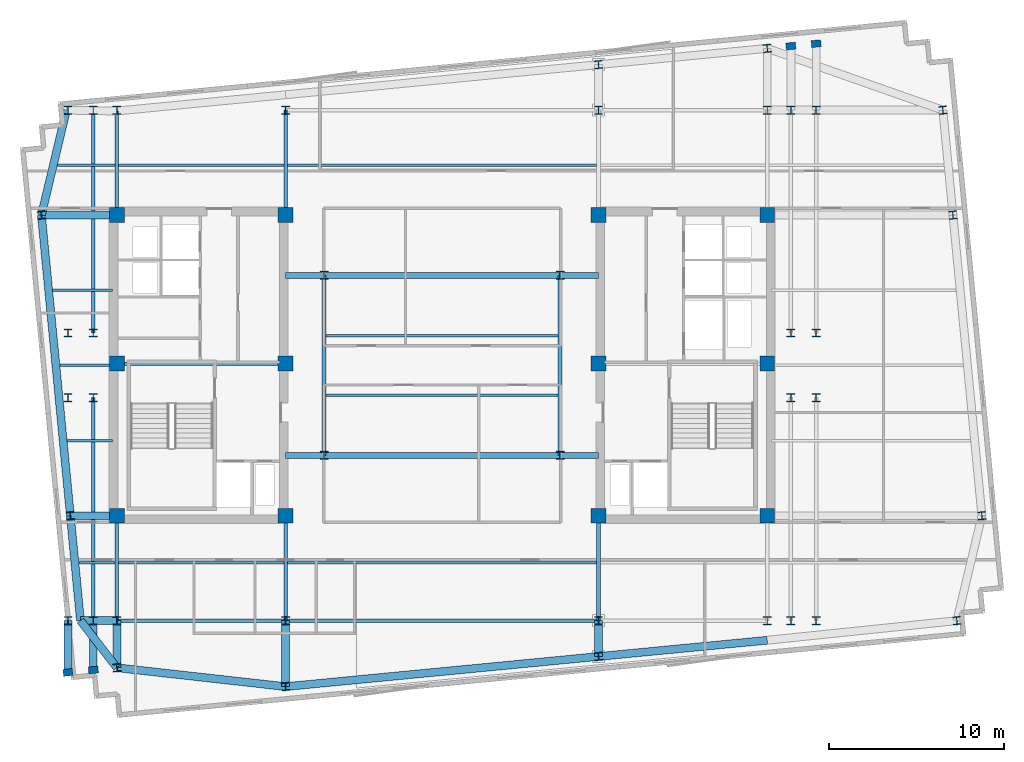
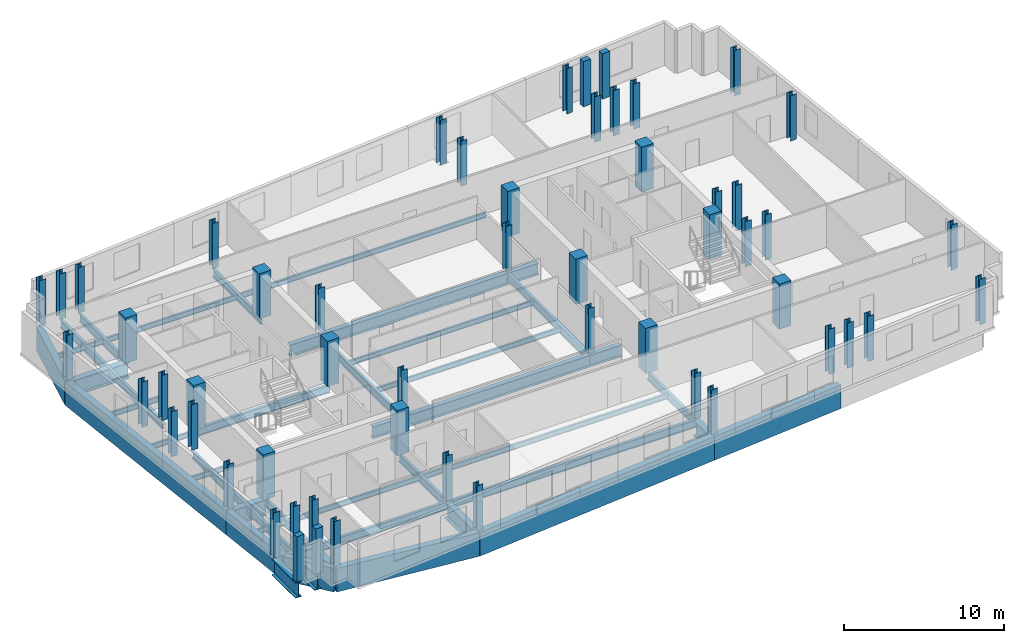
# One storey, part 1 of 8: 55 columns, 44 beams.
"""IFC4 building model written with IfcOpenShell, lengths in metres."""

from ifc_helpers import new_model, si_unit, direction, frame, origin, origin_2d, place, context, subcontext, project, spatial, rectangle, i_section, extrude, material, material_profile, profile_set, type_object, element, save


model = new_model("IFC4")

# Units and contexts
model_context = context("Model", 3, precision=1e-05, world=origin(), true_north=direction((0.0, 1.0)))
body_context = subcontext(model_context, "Body", "Model", "MODEL_VIEW")
ifc_project = project(units=[si_unit("LENGTHUNIT", "METRE"), si_unit("AREAUNIT", "SQUARE_METRE"), si_unit("VOLUMEUNIT", "CUBIC_METRE"), si_unit("PLANEANGLEUNIT", "RADIAN"), si_unit("MASSUNIT", "GRAM", prefix="KILO")], contexts=[model_context])

# Site, building, storey
site_placement = place(None, origin())
site = spatial("IfcSite", under=ifc_project, at=site_placement, CompositionType="ELEMENT")
building_placement = place(site_placement, origin())
building = spatial("IfcBuilding", under=site, at=building_placement, Name="Velakula Bourse", CompositionType="ELEMENT")
storey_placement = place(building_placement, frame((0.0, 0.0, 251.699951171875)))
storey = spatial("IfcBuildingStorey", under=building, at=storey_placement, Name="L68", CompositionType="ELEMENT", Elevation=251.699951171875)

# Columns
ifc_material_1 = material(Name="Concrete M50 (fck 50 MPa)", Category="concrete")
ifc_material_profile_1 = material_profile(ifc_material_1, rectangle(XDim=0.85009765625, YDim=0.85009765625, at=origin_2d()), Name="Concrete M50 (fck 50 MPa)")
ifc_profile_set_1 = profile_set([ifc_material_profile_1], Name="Concrete M50 (fck 50 MPa)")
column_type_1 = type_object("IfcColumnType", Name="COL-RC-850", PredefinedType="COLUMN", material=ifc_profile_set_1)
for number, where, z_axis, x_axis, name in (
    (1, (-8.949951171875, -8.60009765625, 0.0), (0.0, 0.0, 1.0), (1.0, 0.0, 0.0), "L68 Core Boundary Column 01"),
    (2, (-8.949951171875, 0.10009765625, 0.0), (0.0, 0.0, 1.0), (1.0, 0.0, 0.0), "L68 Core Boundary Column 02"),
    (3, (-8.949951171875, 8.60009765625, 0.0), (0.0, 0.0, 1.0), (1.0, 0.0, 0.0), "L68 Core Boundary Column 03"),
    (4, (-18.60009765625, -8.60009765625, 0.0), (0.0, 0.0, 1.0), (1.0, 0.0, 0.0), "L68 Core Boundary Column 04"),
    (5, (-18.60009765625, 0.10009765625, 0.0), (0.0, 0.0, 1.0), (1.0, 0.0, 0.0), "L68 Core Boundary Column 05"),
    (6, (-18.60009765625, 8.60009765625, 0.0), (0.0, 0.0, 1.0), (1.0, 0.0, 0.0), "L68 Core Boundary Column 06"),
    (7, (8.949951171875, -8.60009765625, 0.0), (0.0, 0.0, 1.0), (1.0, 0.0, 0.0), "L68 Core Boundary Column 07"),
    (8, (8.949951171875, 0.10009765625, 0.0), (0.0, 0.0, 1.0), (1.0, 0.0, 0.0), "L68 Core Boundary Column 08"),
    (9, (8.949951171875, 8.60009765625, 0.0), (0.0, 0.0, 1.0), (1.0, 0.0, 0.0), "L68 Core Boundary Column 09"),
    (10, (18.60009765625, -8.60009765625, 0.0), (0.0, 0.0, 1.0), (1.0, 0.0, 0.0), "L68 Core Boundary Column 10"),
    (11, (18.60009765625, 0.10009765625, 0.0), (0.0, 0.0, 1.0), (1.0, 0.0, 0.0), "L68 Core Boundary Column 11"),
    (12, (18.60009765625, 8.60009765625, 0.0), (0.0, 0.0, 1.0), (1.0, 0.0, 0.0), "L68 Core Boundary Column 12"),
):
    element("IfcColumn", number, at=place(storey_placement, frame(where, z_axis=z_axis, x_axis=x_axis)), inside=storey, type_object=column_type_1, Name=name, PredefinedType="COLUMN", context=body_context, shape_type="SweptSolid", body=[
        extrude(rectangle(XDim=0.85009765625, YDim=0.85009765625, at=origin_2d()), origin(), (0.0, 0.0, 1.0), 3.449951171875),
    ])
ifc_material_2 = material(Name="Steel IS 2062 Grade 350 (E350)", Category="steel")
ifc_material_profile_2 = material_profile(ifc_material_2, i_section(OverallWidth=0.449951171875, OverallDepth=0.449951171875, WebThickness=0.02197265625, FlangeThickness=0.031982421875, at=origin_2d()), Name="Steel IS 2062 Grade 350 (E350)")
ifc_profile_set_2 = profile_set([ifc_material_profile_2], Name="Steel IS 2062 Grade 350 (E350)")
column_type_2 = type_object("IfcColumnType", Name="COL-STL-450", PredefinedType="COLUMN", material=ifc_profile_set_2)
for number, where, z_axis, x_axis, name in (
    (13, (-6.75, -5.14990234375, 0.0), (0.0, 0.0, 1.0), (1.0, 0.0, 0.0), "L68 Central Spine Column 01"),
    (14, (-6.75, 5.14990234375, 0.0), (0.0, 0.0, 1.0), (1.0, 0.0, 0.0), "L68 Central Spine Column 02"),
    (15, (6.75, -5.14990234375, 0.0), (0.0, 0.0, 1.0), (1.0, 0.0, 0.0), "L68 Central Spine Column 03"),
    (16, (6.75, 5.14990234375, 0.0), (0.0, 0.0, 1.0), (1.0, 0.0, 0.0), "L68 Central Spine Column 04"),
    (17, (-21.39990234375, -14.60009765625, 0.0), (0.0, 0.0, 1.0), (1.0, 0.0, 0.0), "L68 Tower Fulcrum Column 01"),
    (18, (-21.39990234375, 14.60009765625, 0.0), (0.0, 0.0, 1.0), (1.0, 0.0, 0.0), "L68 Tower Fulcrum Column 02"),
    (19, (-19.949951171875, -14.60009765625, 0.0), (0.0, 0.0, 1.0), (1.0, 0.0, 0.0), "L68 Tower Fulcrum Column 03"),
    (20, (-19.949951171875, 14.60009765625, 0.0), (0.0, 0.0, 1.0), (1.0, 0.0, 0.0), "L68 Tower Fulcrum Column 04"),
    (21, (-18.60009765625, -14.60009765625, 0.0), (0.0, 0.0, 1.0), (1.0, 0.0, 0.0), "L68 Tower Fulcrum Column 05"),
    (22, (-18.60009765625, 14.60009765625, 0.0), (0.0, 0.0, 1.0), (1.0, 0.0, 0.0), "L68 Tower Fulcrum Column 06"),
    (23, (-8.949951171875, -14.60009765625, 0.0), (0.0, 0.0, 1.0), (1.0, 0.0, 0.0), "L68 Tower Fulcrum Column 07"),
    (24, (-8.949951171875, 14.60009765625, 0.0), (0.0, 0.0, 1.0), (1.0, 0.0, 0.0), "L68 Tower Fulcrum Column 08"),
    (25, (8.949951171875, -14.60009765625, 0.0), (0.0, 0.0, 1.0), (1.0, 0.0, 0.0), "L68 Tower Fulcrum Column 09"),
    (26, (8.949951171875, 14.60009765625, 0.0), (0.0, 0.0, 1.0), (1.0, 0.0, 0.0), "L68 Tower Fulcrum Column 10"),
    (27, (18.60009765625, -14.60009765625, 0.0), (0.0, 0.0, 1.0), (1.0, 0.0, 0.0), "L68 Tower Fulcrum Column 11"),
    (28, (18.60009765625, 14.60009765625, 0.0), (0.0, 0.0, 1.0), (1.0, 0.0, 0.0), "L68 Tower Fulcrum Column 12"),
    (29, (19.949951171875, -14.60009765625, 0.0), (0.0, 0.0, 1.0), (1.0, 0.0, 0.0), "L68 Tower Fulcrum Column 13"),
    (30, (19.949951171875, 14.60009765625, 0.0), (0.0, 0.0, 1.0), (1.0, 0.0, 0.0), "L68 Tower Fulcrum Column 14"),
    (31, (21.39990234375, -14.60009765625, 0.0), (0.0, 0.0, 1.0), (1.0, 0.0, 0.0), "L68 Tower Fulcrum Column 15"),
    (32, (21.39990234375, 14.60009765625, 0.0), (0.0, 0.0, 1.0), (1.0, 0.0, 0.0), "L68 Tower Fulcrum Column 16"),
    (33, (-21.39990234375, -1.85009765625, 0.0), (0.0, 0.0, 1.0), (1.0, 0.0, 0.0), "L68 Tower Fulcrum Column 17"),
    (34, (-21.39990234375, 1.85009765625, 0.0), (0.0, 0.0, 1.0), (1.0, 0.0, 0.0), "L68 Tower Fulcrum Column 18"),
    (35, (-19.949951171875, -1.85009765625, 0.0), (0.0, 0.0, 1.0), (1.0, 0.0, 0.0), "L68 Tower Fulcrum Column 19"),
    (36, (-19.949951171875, 1.85009765625, 0.0), (0.0, 0.0, 1.0), (1.0, 0.0, 0.0), "L68 Tower Fulcrum Column 20"),
    (37, (19.949951171875, -1.85009765625, 0.0), (0.0, 0.0, 1.0), (1.0, 0.0, 0.0), "L68 Tower Fulcrum Column 21"),
    (38, (19.949951171875, 1.85009765625, 0.0), (0.0, 0.0, 1.0), (1.0, 0.0, 0.0), "L68 Tower Fulcrum Column 22"),
    (39, (21.39990234375, -1.85009765625, 0.0), (0.0, 0.0, 1.0), (1.0, 0.0, 0.0), "L68 Tower Fulcrum Column 23"),
    (40, (21.39990234375, 1.85009765625, 0.0), (0.0, 0.0, 1.0), (1.0, 0.0, 0.0), "L68 Tower Fulcrum Column 24"),
    (41, (-18.60009765625, -17.294921875, 0.0), (0.0, 0.0, 1.0), (0.995396198367, 0.09584575252, 0.0), "L68 Block B6 Perimeter Column S1"),
    (42, (-8.949951171875, -18.375, 0.0), (0.0, 0.0, 1.0), (0.995396198367, 0.09584575252, 0.0), "L68 Block B6 Perimeter Column S2"),
    (43, (8.949951171875, -16.6513671875, 0.0), (0.0, 0.0, 1.0), (0.995396198367, 0.09584575252, 0.0), "L68 Block B6 Perimeter Column S3"),
    (44, (8.949951171875, 17.20458984375, 0.0), (0.0, 0.0, 1.0), (0.995396198367, 0.09584575252, 0.0), "L68 Block B6 Perimeter Column N3"),
    (45, (18.60009765625, 18.1337890625, 0.0), (0.0, 0.0, 1.0), (0.995396198367, 0.09584575252, 0.0), "L68 Block B6 Perimeter Column N4"),
    (46, (-21.26123046875, -8.60009765625, 0.0), (0.0, 0.0, 1.0), (0.995396198367, 0.09584575252, 0.0), "L68 Block B6 Perimeter Column W2"),
    (47, (-22.91748046875, 8.60009765625, 0.0), (0.0, 0.0, 1.0), (0.995396198367, 0.09584575252, 0.0), "L68 Block B6 Perimeter Column W3"),
    (48, (29.447265625, -14.60009765625, 0.0), (0.0, 0.0, 1.0), (0.995396198367, 0.09584575252, 0.0), "L68 Block B6 Perimeter Column E1"),
    (49, (30.87890625, -8.60009765625, 0.0), (0.0, 0.0, 1.0), (0.995396198367, 0.09584575252, 0.0), "L68 Block B6 Perimeter Column E2"),
    (50, (29.22265625, 8.60009765625, 0.0), (0.0, 0.0, 1.0), (0.995396198367, 0.09584575252, 0.0), "L68 Block B6 Perimeter Column E3"),
    (51, (28.64501953125, 14.60009765625, 0.0), (0.0, 0.0, 1.0), (0.995396198367, 0.09584575252, 0.0), "L68 Block B6 Perimeter Column E4"),
):
    element("IfcColumn", number, at=place(storey_placement, frame(where, z_axis=z_axis, x_axis=x_axis)), inside=storey, type_object=column_type_2, Name=name, PredefinedType="COLUMN", context=body_context, shape_type="SweptSolid", body=[
        extrude(i_section(OverallWidth=0.449951171875, OverallDepth=0.449951171875, WebThickness=0.02197265625, FlangeThickness=0.031982421875, at=origin_2d()), origin(), (0.0, 0.0, 1.0), 3.449951171875),
    ])
ifc_material_3 = material(Name="Precast concrete M45 (fck 45 MPa)", Category="concrete")
ifc_material_profile_3 = material_profile(ifc_material_3, rectangle(XDim=0.550048828125, YDim=0.39990234375, at=origin_2d()), Name="Precast concrete M45 (fck 45 MPa)")
ifc_profile_set_3 = profile_set([ifc_material_profile_3], Name="Precast concrete M45 (fck 45 MPa)")
column_type_3 = type_object("IfcColumnType", Name="PIL-BRICK-550", PredefinedType="PILASTER", material=ifc_profile_set_3)
for number, where, z_axis, x_axis, name in (
    (52, (-21.39990234375, -17.564453125, 0.0), (0.0, 0.0, 1.0), (0.995396198367, 0.09584575252, 0.0), "L68 Brick Pier Pilaster 01"),
    (53, (-19.949951171875, -17.4248046875, 0.0), (0.0, 0.0, 1.0), (0.995396198367, 0.09584575252, 0.0), "L68 Brick Pier Pilaster 02"),
    (54, (19.949951171875, 18.263671875, 0.0), (0.0, 0.0, 1.0), (0.995396198367, 0.09584575252, 0.0), "L68 Brick Pier Pilaster 07"),
    (55, (21.39990234375, 18.4033203125, 0.0), (0.0, 0.0, 1.0), (0.995396198367, 0.09584575252, 0.0), "L68 Brick Pier Pilaster 08"),
):
    element("IfcColumn", number, at=place(storey_placement, frame(where, z_axis=z_axis, x_axis=x_axis)), inside=storey, type_object=column_type_3, Name=name, PredefinedType="PILASTER", context=body_context, shape_type="SweptSolid", body=[
        extrude(rectangle(XDim=0.550048828125, YDim=0.39990234375, at=origin_2d()), origin(), (0.0, 0.0, 1.0), 3.449951171875),
    ])

# Beams
ifc_material_profile_4 = material_profile(ifc_material_2, i_section(OverallWidth=0.2099609375, OverallDepth=0.60009765625, WebThickness=0.011962890625, FlangeThickness=0.020751953125, at=origin_2d()), Name="Steel IS 2062 Grade 350 (E350)")
ifc_profile_set_4 = profile_set([ifc_material_profile_4], Name="Steel IS 2062 Grade 350 (E350)")
beam_type_1 = type_object("IfcBeamType", Name="BM-GRD-600L", PredefinedType="BEAM", material=ifc_profile_set_4)
beam_1_placement = place(storey_placement, frame((-18.60009765625, 0.10009765625, -0.47998046875), z_axis=(1.0, 0.0, 0.0), x_axis=(0.0, 1.0, 0.0)))
element("IfcBeam", 56, at=beam_1_placement, inside=storey, type_object=beam_type_1, Name="L68 Primary Backbone Girder CRW-M", PredefinedType="BEAM", context=body_context, shape_type="SweptSolid", body=[
    extrude(i_section(OverallWidth=0.2099609375, OverallDepth=0.60009765625, WebThickness=0.011962890625, FlangeThickness=0.020751953125, at=origin_2d()), origin(), (0.0, 0.0, 1.0), 9.650146484375),
])
for number, where, z_axis, x_axis, name in (
    (57, (-6.75, -5.14990234375, -0.47998046875), (0.0, 1.0, 0.0), (-1.0, 0.0, 0.0), "L68 Primary Backbone Girder SPN-W"),
    (58, (6.75, -5.14990234375, -0.47998046875), (0.0, 1.0, 0.0), (-1.0, 0.0, 0.0), "L68 Primary Backbone Girder SPN-E"),
):
    element("IfcBeam", number, at=place(storey_placement, frame(where, z_axis=z_axis, x_axis=x_axis)), inside=storey, type_object=beam_type_1, Name=name, PredefinedType="BEAM", context=body_context, shape_type="SweptSolid", body=[
        extrude(i_section(OverallWidth=0.2099609375, OverallDepth=0.60009765625, WebThickness=0.011962890625, FlangeThickness=0.020751953125, at=origin_2d()), origin(), (0.0, 0.0, 1.0), 10.2998046875),
    ])
beam_2_placement = place(storey_placement, frame((-18.60009765625, -14.60009765625, -0.47998046875), z_axis=(0.0, 1.0, 0.0), x_axis=(-1.0, 0.0, 0.0)))
element("IfcBeam", 59, at=beam_2_placement, inside=storey, type_object=beam_type_1, Name="L68 Fulcrum Grid Girder FLC-WS", PredefinedType="BEAM", context=body_context, shape_type="SweptSolid", body=[
    extrude(i_section(OverallWidth=0.2099609375, OverallDepth=0.60009765625, WebThickness=0.011962890625, FlangeThickness=0.020751953125, at=origin_2d()), origin(), (0.0, 0.0, 1.0), 6.0),
])
beam_3_placement = place(storey_placement, frame((-18.60009765625, 8.60009765625, -0.47998046875), z_axis=(0.0, 1.0, 0.0), x_axis=(-1.0, 0.0, 0.0)))
element("IfcBeam", 60, at=beam_3_placement, inside=storey, type_object=beam_type_1, Name="L68 Fulcrum Grid Girder FLC-WN", PredefinedType="BEAM", context=body_context, shape_type="SweptSolid", body=[
    extrude(i_section(OverallWidth=0.2099609375, OverallDepth=0.60009765625, WebThickness=0.011962890625, FlangeThickness=0.020751953125, at=origin_2d()), origin(), (0.0, 0.0, 1.0), 5.95166015625),
])
for number, where, z_axis, x_axis, name in (
    (61, (-8.949951171875, -14.60009765625, -0.47998046875), (0.0, 1.0, 0.0), (-1.0, 0.0, 0.0), "L68 Fulcrum Grid Girder FLC-WCS"),
    (62, (-8.949951171875, 8.60009765625, -0.47998046875), (0.0, 1.0, 0.0), (-1.0, 0.0, 0.0), "L68 Fulcrum Grid Girder FLC-WCN"),
    (63, (8.949951171875, -14.60009765625, -0.47998046875), (0.0, 1.0, 0.0), (-1.0, 0.0, 0.0), "L68 Fulcrum Grid Girder FLC-ECS"),
):
    element("IfcBeam", number, at=place(storey_placement, frame(where, z_axis=z_axis, x_axis=x_axis)), inside=storey, type_object=beam_type_1, Name=name, PredefinedType="BEAM", context=body_context, shape_type="SweptSolid", body=[
        extrude(i_section(OverallWidth=0.2099609375, OverallDepth=0.60009765625, WebThickness=0.011962890625, FlangeThickness=0.020751953125, at=origin_2d()), origin(), (0.0, 0.0, 1.0), 6.0),
    ])
beam_4_placement = place(storey_placement, frame((-18.60009765625, -14.60009765625, -0.47998046875), z_axis=(1.0, 0.0, 0.0), x_axis=(0.0, 1.0, 0.0)))
element("IfcBeam", 64, at=beam_4_placement, inside=storey, type_object=beam_type_1, Name="L68 Fulcrum Grid Girder FLC-S1", PredefinedType="BEAM", context=body_context, shape_type="SweptSolid", body=[
    extrude(i_section(OverallWidth=0.2099609375, OverallDepth=0.60009765625, WebThickness=0.011962890625, FlangeThickness=0.020751953125, at=origin_2d()), origin(), (0.0, 0.0, 1.0), 9.650146484375),
])
beam_5_placement = place(storey_placement, frame((-8.949951171875, -14.60009765625, -0.47998046875), z_axis=(1.0, 0.0, 0.0), x_axis=(0.0, 1.0, 0.0)))
element("IfcBeam", 65, at=beam_5_placement, inside=storey, type_object=beam_type_1, Name="L68 Fulcrum Grid Girder FLC-S2", PredefinedType="BEAM", context=body_context, shape_type="SweptSolid", body=[
    extrude(i_section(OverallWidth=0.2099609375, OverallDepth=0.60009765625, WebThickness=0.011962890625, FlangeThickness=0.020751953125, at=origin_2d()), origin(), (0.0, 0.0, 1.0), 17.89990234375),
])
beam_6_placement = place(storey_placement, frame((-19.949951171875, -14.60009765625, -0.47998046875), z_axis=(0.0, 1.0, 0.0), x_axis=(-1.0, 0.0, 0.0)))
element("IfcBeam", 66, at=beam_6_placement, inside=storey, type_object=beam_type_1, Name="L68 Fulcrum Grid Girder FLC-PSW2", PredefinedType="BEAM", context=body_context, shape_type="SweptSolid", body=[
    extrude(i_section(OverallWidth=0.2099609375, OverallDepth=0.60009765625, WebThickness=0.011962890625, FlangeThickness=0.020751953125, at=origin_2d()), origin(), (0.0, 0.0, 1.0), 12.75),
])
beam_7_placement = place(storey_placement, frame((-19.949951171875, 1.85009765625, -0.47998046875), z_axis=(0.0, 1.0, 0.0), x_axis=(-1.0, 0.0, 0.0)))
element("IfcBeam", 67, at=beam_7_placement, inside=storey, type_object=beam_type_1, Name="L68 Fulcrum Grid Girder FLC-PNW2", PredefinedType="BEAM", context=body_context, shape_type="SweptSolid", body=[
    extrude(i_section(OverallWidth=0.2099609375, OverallDepth=0.60009765625, WebThickness=0.011962890625, FlangeThickness=0.020751953125, at=origin_2d()), origin(), (0.0, 0.0, 1.0), 12.72412109375),
])
ifc_material_profile_5 = material_profile(ifc_material_2, i_section(OverallWidth=0.35009765625, OverallDepth=0.89990234375, WebThickness=0.02001953125, FlangeThickness=0.031982421875, at=origin_2d()), Name="Steel IS 2062 Grade 350 (E350)")
ifc_profile_set_5 = profile_set([ifc_material_profile_5], Name="Steel IS 2062 Grade 350 (E350)")
beam_type_2 = type_object("IfcBeamType", Name="BM-LNK-900", PredefinedType="BEAM", material=ifc_profile_set_5)
beam_8_placement = place(storey_placement, frame((-8.949951171875, -5.14990234375, -0.6298828125), z_axis=(1.0, 0.0, 0.0), x_axis=(0.0, 1.0, 0.0)))
element("IfcBeam", 68, at=beam_8_placement, inside=storey, type_object=beam_type_2, Name="L68 Primary Backbone Girder LNK-S1", PredefinedType="BEAM", context=body_context, shape_type="SweptSolid", body=[
    extrude(i_section(OverallWidth=0.35009765625, OverallDepth=0.89990234375, WebThickness=0.02001953125, FlangeThickness=0.031982421875, at=origin_2d()), origin(), (0.0, 0.0, 1.0), 2.199951171875),
])
beam_9_placement = place(storey_placement, frame((-6.75, -5.14990234375, -0.6298828125), z_axis=(1.0, 0.0, 0.0), x_axis=(0.0, 1.0, 0.0)))
element("IfcBeam", 69, at=beam_9_placement, inside=storey, type_object=beam_type_2, Name="L68 Primary Backbone Girder LNK-S2", PredefinedType="BEAM", context=body_context, shape_type="SweptSolid", body=[
    extrude(i_section(OverallWidth=0.35009765625, OverallDepth=0.89990234375, WebThickness=0.02001953125, FlangeThickness=0.031982421875, at=origin_2d()), origin(), (0.0, 0.0, 1.0), 13.5),
])
for number, where, z_axis, x_axis, name in (
    (70, (6.75, -5.14990234375, -0.6298828125), (1.0, 0.0, 0.0), (0.0, 1.0, 0.0), "L68 Primary Backbone Girder LNK-S3"),
    (71, (-8.949951171875, 5.14990234375, -0.6298828125), (1.0, 0.0, 0.0), (0.0, 1.0, 0.0), "L68 Primary Backbone Girder LNK-N1"),
):
    element("IfcBeam", number, at=place(storey_placement, frame(where, z_axis=z_axis, x_axis=x_axis)), inside=storey, type_object=beam_type_2, Name=name, PredefinedType="BEAM", context=body_context, shape_type="SweptSolid", body=[
        extrude(i_section(OverallWidth=0.35009765625, OverallDepth=0.89990234375, WebThickness=0.02001953125, FlangeThickness=0.031982421875, at=origin_2d()), origin(), (0.0, 0.0, 1.0), 2.199951171875),
    ])
beam_10_placement = place(storey_placement, frame((-6.75, 5.14990234375, -0.6298828125), z_axis=(1.0, 0.0, 0.0), x_axis=(0.0, 1.0, 0.0)))
element("IfcBeam", 72, at=beam_10_placement, inside=storey, type_object=beam_type_2, Name="L68 Primary Backbone Girder LNK-N2", PredefinedType="BEAM", context=body_context, shape_type="SweptSolid", body=[
    extrude(i_section(OverallWidth=0.35009765625, OverallDepth=0.89990234375, WebThickness=0.02001953125, FlangeThickness=0.031982421875, at=origin_2d()), origin(), (0.0, 0.0, 1.0), 13.5),
])
beam_11_placement = place(storey_placement, frame((6.75, 5.14990234375, -0.6298828125), z_axis=(1.0, 0.0, 0.0), x_axis=(0.0, 1.0, 0.0)))
element("IfcBeam", 73, at=beam_11_placement, inside=storey, type_object=beam_type_2, Name="L68 Primary Backbone Girder LNK-N3", PredefinedType="BEAM", context=body_context, shape_type="SweptSolid", body=[
    extrude(i_section(OverallWidth=0.35009765625, OverallDepth=0.89990234375, WebThickness=0.02001953125, FlangeThickness=0.031982421875, at=origin_2d()), origin(), (0.0, 0.0, 1.0), 2.199951171875),
])
ifc_material_profile_6 = material_profile(ifc_material_2, i_section(OverallWidth=0.139892578125, OverallDepth=0.39990234375, WebThickness=0.0087890625, FlangeThickness=0.01611328125, at=origin_2d()), Name="Steel IS 2062 Grade 350 (E350)")
ifc_profile_set_6 = profile_set([ifc_material_profile_6], Name="Steel IS 2062 Grade 350 (E350)")
beam_type_3 = type_object("IfcBeamType", Name="JST-TWR-400", PredefinedType="JOIST", material=ifc_profile_set_6)
beam_12_placement = place(storey_placement, frame((-20.775146484375, -11.300048828125, -0.3798828125), z_axis=(1.0, 0.0, 0.0), x_axis=(0.0, 1.0, 0.0)))
element("IfcBeam", 74, at=beam_12_placement, inside=storey, type_object=beam_type_3, Name="L68 Trading Floor Composite Joist 03", PredefinedType="JOIST", context=body_context, shape_type="SweptSolid", body=[
    extrude(i_section(OverallWidth=0.139892578125, OverallDepth=0.39990234375, WebThickness=0.0087890625, FlangeThickness=0.01611328125, at=origin_2d()), origin(), (0.0, 0.0, 1.0), 2.070068359375),
])
beam_13_placement = place(storey_placement, frame((-18.4951171875, -11.300048828125, -0.3798828125), z_axis=(1.0, 0.0, 0.0), x_axis=(0.0, 1.0, 0.0)))
element("IfcBeam", 75, at=beam_13_placement, inside=storey, type_object=beam_type_3, Name="L68 Trading Floor Composite Joist 04", PredefinedType="JOIST", context=body_context, shape_type="SweptSolid", body=[
    extrude(i_section(OverallWidth=0.139892578125, OverallDepth=0.39990234375, WebThickness=0.0087890625, FlangeThickness=0.01611328125, at=origin_2d()), origin(), (0.0, 0.0, 1.0), 9.440185546875),
])
beam_14_placement = place(storey_placement, frame((-8.844970703125, -11.300048828125, -0.3798828125), z_axis=(1.0, 0.0, 0.0), x_axis=(0.0, 1.0, 0.0)))
element("IfcBeam", 76, at=beam_14_placement, inside=storey, type_object=beam_type_3, Name="L68 Trading Floor Composite Joist 05", PredefinedType="JOIST", context=body_context, shape_type="SweptSolid", body=[
    extrude(i_section(OverallWidth=0.139892578125, OverallDepth=0.39990234375, WebThickness=0.0087890625, FlangeThickness=0.01611328125, at=origin_2d()), origin(), (0.0, 0.0, 1.0), 17.68994140625),
])
beam_15_placement = place(storey_placement, frame((-22.006103515625, 11.449951171875, -0.3798828125), z_axis=(1.0, 0.0, 0.0), x_axis=(0.0, 1.0, 0.0)))
element("IfcBeam", 77, at=beam_15_placement, inside=storey, type_object=beam_type_3, Name="L68 Trading Floor Composite Joist 08", PredefinedType="JOIST", context=body_context, shape_type="SweptSolid", body=[
    extrude(i_section(OverallWidth=0.139892578125, OverallDepth=0.39990234375, WebThickness=0.0087890625, FlangeThickness=0.01611328125, at=origin_2d()), origin(), (0.0, 0.0, 1.0), 3.301025390625),
])
beam_16_placement = place(storey_placement, frame((-18.4951171875, 11.449951171875, -0.3798828125), z_axis=(1.0, 0.0, 0.0), x_axis=(0.0, 1.0, 0.0)))
element("IfcBeam", 78, at=beam_16_placement, inside=storey, type_object=beam_type_3, Name="L68 Trading Floor Composite Joist 09", PredefinedType="JOIST", context=body_context, shape_type="SweptSolid", body=[
    extrude(i_section(OverallWidth=0.139892578125, OverallDepth=0.39990234375, WebThickness=0.0087890625, FlangeThickness=0.01611328125, at=origin_2d()), origin(), (0.0, 0.0, 1.0), 9.440185546875),
])
beam_17_placement = place(storey_placement, frame((-8.844970703125, 11.449951171875, -0.3798828125), z_axis=(1.0, 0.0, 0.0), x_axis=(0.0, 1.0, 0.0)))
element("IfcBeam", 79, at=beam_17_placement, inside=storey, type_object=beam_type_3, Name="L68 Trading Floor Composite Joist 10", PredefinedType="JOIST", context=body_context, shape_type="SweptSolid", body=[
    extrude(i_section(OverallWidth=0.139892578125, OverallDepth=0.39990234375, WebThickness=0.0087890625, FlangeThickness=0.01611328125, at=origin_2d()), origin(), (0.0, 0.0, 1.0), 17.68994140625),
])
for number, where, z_axis, x_axis, name in (
    (80, (-6.64501953125, -1.699951171875, -0.3798828125), (1.0, 0.0, 0.0), (0.0, 1.0, 0.0), "L68 Trading Floor Composite Joist 14"),
    (81, (-6.64501953125, 1.699951171875, -0.3798828125), (1.0, 0.0, 0.0), (0.0, 1.0, 0.0), "L68 Trading Floor Composite Joist 15"),
):
    element("IfcBeam", number, at=place(storey_placement, frame(where, z_axis=z_axis, x_axis=x_axis)), inside=storey, type_object=beam_type_3, Name=name, PredefinedType="JOIST", context=body_context, shape_type="SweptSolid", body=[
        extrude(i_section(OverallWidth=0.139892578125, OverallDepth=0.39990234375, WebThickness=0.0087890625, FlangeThickness=0.01611328125, at=origin_2d()), origin(), (0.0, 0.0, 1.0), 13.2900390625),
    ])
beam_18_placement = place(storey_placement, frame((-21.44921875, -4.300048828125, -0.3798828125), z_axis=(1.0, 0.0, 0.0), x_axis=(0.0, 1.0, 0.0)))
element("IfcBeam", 82, at=beam_18_placement, inside=storey, type_object=beam_type_3, Name="L68 Trading Floor Composite Joist 16", PredefinedType="JOIST", context=body_context, shape_type="SweptSolid", body=[
    extrude(i_section(OverallWidth=0.139892578125, OverallDepth=0.39990234375, WebThickness=0.0087890625, FlangeThickness=0.01611328125, at=origin_2d()), origin(), (0.0, 0.0, 1.0), 2.59912109375),
])
beam_19_placement = place(storey_placement, frame((-21.86328125, 0.0, -0.3798828125), z_axis=(1.0, 0.0, 0.0), x_axis=(0.0, 1.0, 0.0)))
element("IfcBeam", 83, at=beam_19_placement, inside=storey, type_object=beam_type_3, Name="L68 Trading Floor Composite Joist 18", PredefinedType="JOIST", context=body_context, shape_type="SweptSolid", body=[
    extrude(i_section(OverallWidth=0.139892578125, OverallDepth=0.39990234375, WebThickness=0.0087890625, FlangeThickness=0.01611328125, at=origin_2d()), origin(), (0.0, 0.0, 1.0), 3.01318359375),
])
beam_20_placement = place(storey_placement, frame((-22.27734375, 4.300048828125, -0.3798828125), z_axis=(1.0, 0.0, 0.0), x_axis=(0.0, 1.0, 0.0)))
element("IfcBeam", 84, at=beam_20_placement, inside=storey, type_object=beam_type_3, Name="L68 Trading Floor Composite Joist 20", PredefinedType="JOIST", context=body_context, shape_type="SweptSolid", body=[
    extrude(i_section(OverallWidth=0.139892578125, OverallDepth=0.39990234375, WebThickness=0.0087890625, FlangeThickness=0.01611328125, at=origin_2d()), origin(), (0.0, 0.0, 1.0), 3.42724609375),
])
ifc_material_profile_7 = material_profile(ifc_material_1, rectangle(XDim=0.449951171875, YDim=1.800048828125, at=origin_2d()), Name="Concrete M50 (fck 50 MPa)")
ifc_profile_set_7 = profile_set([ifc_material_profile_7], Name="Concrete M50 (fck 50 MPa)")
beam_type_4 = type_object("IfcBeamType", Name="SPN-TRF-1800", PredefinedType="SPANDREL", material=ifc_profile_set_7)
beam_21_placement = place(storey_placement, frame((-18.60009765625, -17.294921875, -1.079833984375), z_axis=(0.993794803874, -0.111228988093, 0.0), x_axis=(0.111228988093, 0.993794803874, 0.0)))
element("IfcBeam", 85, at=beam_21_placement, inside=storey, type_object=beam_type_4, Name="L68 Brick-Faced Precast Spandrel S1-S2", PredefinedType="SPANDREL", context=body_context, shape_type="SweptSolid", body=[
    extrude(rectangle(XDim=0.449951171875, YDim=1.800048828125, at=origin_2d()), origin(), (0.0, 0.0, 1.0), 9.71044921875),
])
beam_22_placement = place(storey_placement, frame((-8.949951171875, -18.375, -1.079833984375), z_axis=(0.995395836254, 0.095849513134, 0.0), x_axis=(-0.095849513134, 0.995395836254, 0.0)))
element("IfcBeam", 86, at=beam_22_placement, inside=storey, type_object=beam_type_4, Name="L68 Brick-Faced Precast Spandrel S2-S3", PredefinedType="SPANDREL", context=body_context, shape_type="SweptSolid", body=[
    extrude(rectangle(XDim=0.449951171875, YDim=1.800048828125, at=origin_2d()), origin(), (0.0, 0.0, 1.0), 17.982666015625),
])
beam_23_placement = place(storey_placement, frame((8.949951171875, -16.6513671875, -1.079833984375), z_axis=(0.99539623971, 0.095845323155, 0.0), x_axis=(-0.095845323155, 0.99539623971, 0.0)))
element("IfcBeam", 87, at=beam_23_placement, inside=storey, type_object=beam_type_4, Name="L68 Brick-Faced Precast Spandrel S3-S4", PredefinedType="SPANDREL", context=body_context, shape_type="SweptSolid", body=[
    extrude(rectangle(XDim=0.449951171875, YDim=1.800048828125, at=origin_2d()), origin(), (0.0, 0.0, 1.0), 9.69482421875),
])
beam_24_placement = place(storey_placement, frame((-20.68359375, -14.60009765625, -1.079833984375), z_axis=(-0.095829714309, 0.995397742541, 0.0), x_axis=(-0.995397742541, -0.095829714309, 0.0)))
element("IfcBeam", 88, at=beam_24_placement, inside=storey, type_object=beam_type_4, Name="L68 Brick-Faced Precast Spandrel W1-W2", PredefinedType="SPANDREL", context=body_context, shape_type="SweptSolid", body=[
    extrude(rectangle(XDim=0.449951171875, YDim=1.800048828125, at=origin_2d()), origin(), (0.0, 0.0, 1.0), 6.02783203125),
])
beam_25_placement = place(storey_placement, frame((-21.26123046875, -8.60009765625, -1.079833984375), z_axis=(-0.095849167925, 0.995395869495, 0.0), x_axis=(-0.995395869495, -0.095849167925, 0.0)))
element("IfcBeam", 89, at=beam_25_placement, inside=storey, type_object=beam_type_4, Name="L68 Brick-Faced Precast Spandrel W2-W3", PredefinedType="SPANDREL", context=body_context, shape_type="SweptSolid", body=[
    extrude(rectangle(XDim=0.449951171875, YDim=1.800048828125, at=origin_2d()), origin(), (0.0, 0.0, 1.0), 17.27978515625),
])
beam_26_placement = place(storey_placement, frame((-22.91748046875, 8.60009765625, -1.079833984375), z_axis=(0.232091371601, 0.972693988482, 0.0), x_axis=(-0.972693988482, 0.232091371601, 0.0)))
element("IfcBeam", 90, at=beam_26_placement, inside=storey, type_object=beam_type_4, Name="L68 Brick-Faced Precast Spandrel W3-W4", PredefinedType="SPANDREL", context=body_context, shape_type="SweptSolid", body=[
    extrude(rectangle(XDim=0.449951171875, YDim=1.800048828125, at=origin_2d()), origin(), (0.0, 0.0, 1.0), 6.16845703125),
])
beam_27_placement = place(storey_placement, frame((-20.68359375, -14.60009765625, -1.079833984375), z_axis=(0.61165554427, -0.791124197053, 0.0), x_axis=(0.791124197053, 0.61165554427, 0.0)))
element("IfcBeam", 91, at=beam_27_placement, inside=storey, type_object=beam_type_4, Name="L68 Brick-Faced Precast Spandrel W1-S1", PredefinedType="SPANDREL", context=body_context, shape_type="SweptSolid", body=[
    extrude(rectangle(XDim=0.449951171875, YDim=1.800048828125, at=origin_2d()), origin(), (0.0, 0.0, 1.0), 3.40625),
])
ifc_material_4 = material(Name="Steel IS 2062 Grade 450 (E450)", Category="steel")
ifc_material_profile_8 = material_profile(ifc_material_4, i_section(OverallWidth=0.449951171875, OverallDepth=1.199951171875, WebThickness=0.02587890625, FlangeThickness=0.0400390625, at=origin_2d()), Name="Steel IS 2062 Grade 450 (E450)")
ifc_profile_set_8 = profile_set([ifc_material_profile_8], Name="Steel IS 2062 Grade 450 (E450)")
beam_type_5 = type_object("IfcBeamType", Name="TB-CANT-1200", PredefinedType="BEAM", material=ifc_profile_set_8)
beam_28_placement = place(storey_placement, frame((-18.60009765625, -14.60009765625, -0.780029296875), z_axis=(0.0, -1.0, 0.0), x_axis=(1.0, 0.0, 0.0)))
element("IfcBeam", 92, at=beam_28_placement, inside=storey, type_object=beam_type_5, Name="L68 Perimeter Tie Girder S1", PredefinedType="BEAM", context=body_context, shape_type="SweptSolid", body=[
    extrude(i_section(OverallWidth=0.449951171875, OverallDepth=1.199951171875, WebThickness=0.02587890625, FlangeThickness=0.0400390625, at=origin_2d()), origin(), (0.0, 0.0, 1.0), 2.69482421875),
])
beam_29_placement = place(storey_placement, frame((-8.949951171875, -14.60009765625, -0.780029296875), z_axis=(0.0, -1.0, 0.0), x_axis=(1.0, 0.0, 0.0)))
element("IfcBeam", 93, at=beam_29_placement, inside=storey, type_object=beam_type_5, Name="L68 Perimeter Tie Girder S2", PredefinedType="BEAM", context=body_context, shape_type="SweptSolid", body=[
    extrude(i_section(OverallWidth=0.449951171875, OverallDepth=1.199951171875, WebThickness=0.02587890625, FlangeThickness=0.0400390625, at=origin_2d()), origin(), (0.0, 0.0, 1.0), 3.77490234375),
])
beam_30_placement = place(storey_placement, frame((8.949951171875, -14.60009765625, -0.780029296875), z_axis=(0.0, -1.0, 0.0), x_axis=(1.0, 0.0, 0.0)))
element("IfcBeam", 94, at=beam_30_placement, inside=storey, type_object=beam_type_5, Name="L68 Perimeter Tie Girder S3", PredefinedType="BEAM", context=body_context, shape_type="SweptSolid", body=[
    extrude(i_section(OverallWidth=0.449951171875, OverallDepth=1.199951171875, WebThickness=0.02587890625, FlangeThickness=0.0400390625, at=origin_2d()), origin(), (0.0, 0.0, 1.0), 2.05126953125),
])
beam_31_placement = place(storey_placement, frame((-18.60009765625, -14.60009765625, -0.780029296875), z_axis=(-1.0, 0.0, 0.0), x_axis=(0.0, -1.0, 0.0)))
element("IfcBeam", 95, at=beam_31_placement, inside=storey, type_object=beam_type_5, Name="L68 Perimeter Tie Girder W1", PredefinedType="BEAM", context=body_context, shape_type="SweptSolid", body=[
    extrude(i_section(OverallWidth=0.449951171875, OverallDepth=1.199951171875, WebThickness=0.02587890625, FlangeThickness=0.0400390625, at=origin_2d()), origin(), (0.0, 0.0, 1.0), 2.08349609375),
])
beam_32_placement = place(storey_placement, frame((-18.60009765625, -8.60009765625, -0.780029296875), z_axis=(-1.0, 0.0, 0.0), x_axis=(0.0, -1.0, 0.0)))
element("IfcBeam", 96, at=beam_32_placement, inside=storey, type_object=beam_type_5, Name="L68 Perimeter Tie Girder W2", PredefinedType="BEAM", context=body_context, shape_type="SweptSolid", body=[
    extrude(i_section(OverallWidth=0.449951171875, OverallDepth=1.199951171875, WebThickness=0.02587890625, FlangeThickness=0.0400390625, at=origin_2d()), origin(), (0.0, 0.0, 1.0), 2.6611328125),
])
beam_33_placement = place(storey_placement, frame((-18.60009765625, 8.60009765625, -0.780029296875), z_axis=(-1.0, 0.0, 0.0), x_axis=(0.0, -1.0, 0.0)))
element("IfcBeam", 97, at=beam_33_placement, inside=storey, type_object=beam_type_5, Name="L68 Perimeter Tie Girder W3", PredefinedType="BEAM", context=body_context, shape_type="SweptSolid", body=[
    extrude(i_section(OverallWidth=0.449951171875, OverallDepth=1.199951171875, WebThickness=0.02587890625, FlangeThickness=0.0400390625, at=origin_2d()), origin(), (0.0, 0.0, 1.0), 4.3173828125),
])
beam_34_placement = place(storey_placement, frame((-21.39990234375, -14.60009765625, -0.780029296875), z_axis=(0.0, -1.0, 0.0), x_axis=(1.0, 0.0, 0.0)))
element("IfcBeam", 98, at=beam_34_placement, inside=storey, type_object=beam_type_5, Name="L68 Perimeter Tie Girder P01", PredefinedType="BEAM", context=body_context, shape_type="SweptSolid", body=[
    extrude(i_section(OverallWidth=0.449951171875, OverallDepth=1.199951171875, WebThickness=0.02587890625, FlangeThickness=0.0400390625, at=origin_2d()), origin(), (0.0, 0.0, 1.0), 2.96435546875),
])
beam_35_placement = place(storey_placement, frame((-19.949951171875, -14.60009765625, -0.780029296875), z_axis=(0.0, -1.0, 0.0), x_axis=(1.0, 0.0, 0.0)))
element("IfcBeam", 99, at=beam_35_placement, inside=storey, type_object=beam_type_5, Name="L68 Perimeter Tie Girder P02", PredefinedType="BEAM", context=body_context, shape_type="SweptSolid", body=[
    extrude(i_section(OverallWidth=0.449951171875, OverallDepth=1.199951171875, WebThickness=0.02587890625, FlangeThickness=0.0400390625, at=origin_2d()), origin(), (0.0, 0.0, 1.0), 2.82470703125),
])

save(model, "model.ifc")
